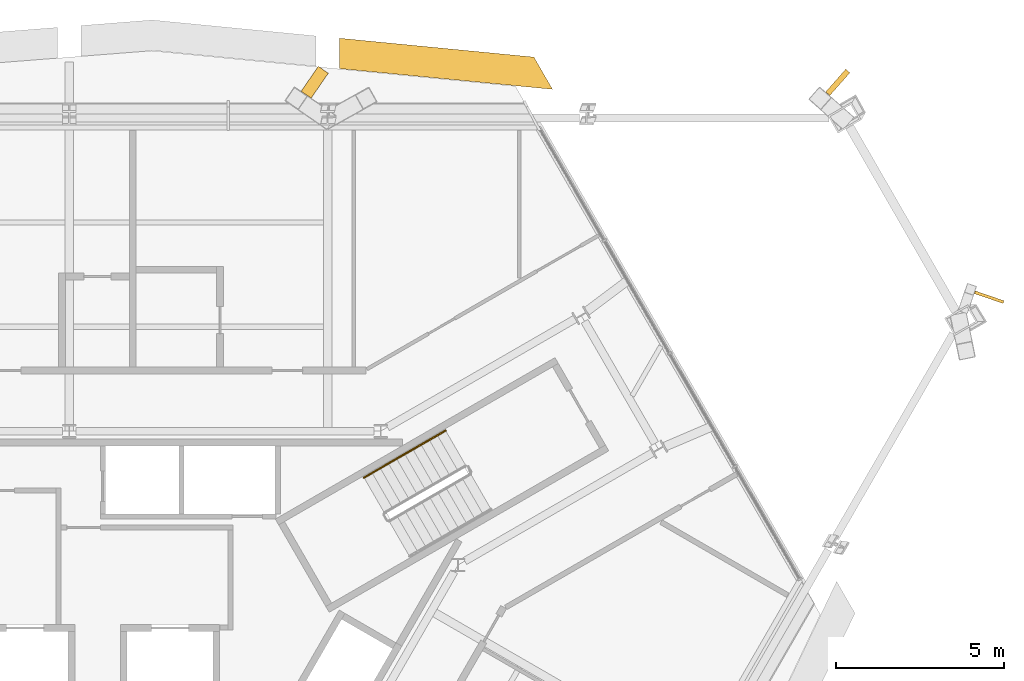
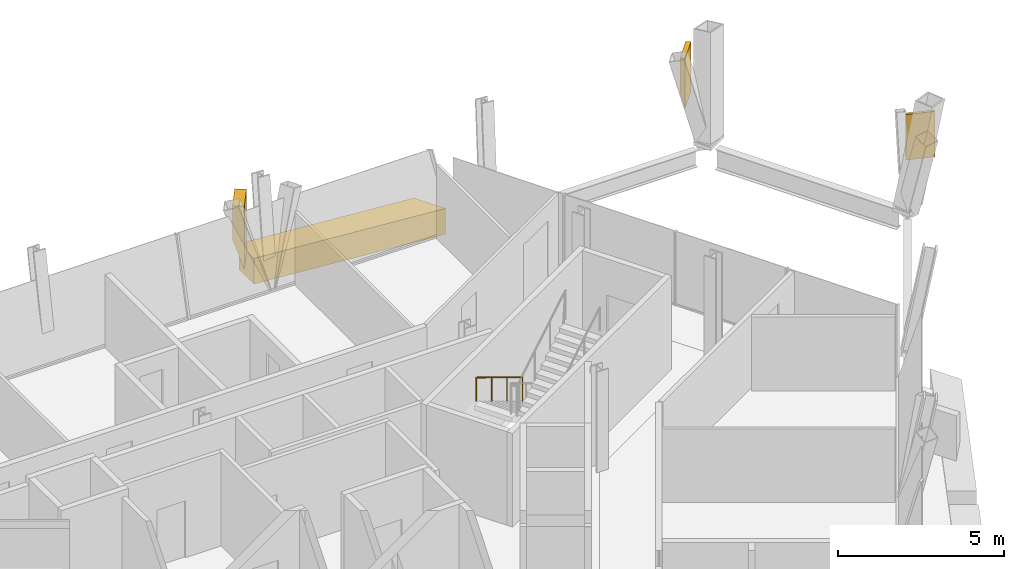
# One storey, part 12 of 12: 4 coverings, 1 railing.
"""IFC4 building model written with IfcOpenShell, lengths in metres."""

from ifc_helpers import new_model, si_unit, direction, frame, origin, origin_2d, place, context, subcontext, project, spatial, polyline, circle, outline, extrude, material, layer, layer_set, type_object, element, save


model = new_model("IFC4")

# Units and contexts
model_context = context("Model", 3, precision=1e-05, world=origin(), true_north=direction((0.0, 1.0)))
body_context = subcontext(model_context, "Body", "Model", "MODEL_VIEW")
ifc_project = project(units=[si_unit("LENGTHUNIT", "METRE"), si_unit("AREAUNIT", "SQUARE_METRE"), si_unit("VOLUMEUNIT", "CUBIC_METRE"), si_unit("PLANEANGLEUNIT", "RADIAN"), si_unit("MASSUNIT", "GRAM", prefix="KILO")], contexts=[model_context])

# Site, building, storey
site_placement = place(None, origin())
site = spatial("IfcSite", under=ifc_project, at=site_placement, CompositionType="ELEMENT")
building_placement = place(site_placement, origin())
building = spatial("IfcBuilding", under=site, at=building_placement, Name="Verrane Prism Tower", CompositionType="ELEMENT")
storey_placement = place(building_placement, frame((0.0, 0.0, 174.699951171875)))
storey = spatial("IfcBuildingStorey", under=building, at=storey_placement, Name="L43", CompositionType="ELEMENT", Elevation=174.699951171875)

# Railing
ifc_material_1 = material(Name="Steel A36 tube", Category="steel")
railing_type = type_object("IfcRailingType", Name="Stair handrail 900 steel tube", PredefinedType="HANDRAIL", material=ifc_material_1)
railing_placement = place(storey_placement, frame((11.189453125, 8.01904296875, 0.168212890625)))
element("IfcRailing", 1, at=railing_placement, inside=storey, type_object=railing_type, Name="Stair 1 handrail", PredefinedType="HANDRAIL", context=body_context, shape_type="SweptSolid", body=[
    extrude(circle(Radius=0.02392578125, at=origin_2d()), frame((0.0, 0.0, 0.8759765625), z_axis=(-0.742390482028, -0.42860119049, 0.514934356695), x_axis=(0.49998411664, -0.866034573852, 0.0)), (0.0, 0.0, 1.0), 3.26611328125),
    extrude(circle(Radius=0.02099609375, at=origin_2d()), origin(), (0.0, 0.0, 1.0), 0.851806640625),
    extrude(circle(Radius=0.02099609375, at=origin_2d()), frame((-0.808349609375, -0.466552734375, 0.560546875)), (0.0, 0.0, 1.0), 0.851806640625),
    extrude(circle(Radius=0.02099609375, at=origin_2d()), frame((-1.616455078125, -0.933349609375, 1.121337890625)), (0.0, 0.0, 1.0), 0.851806640625),
    extrude(circle(Radius=0.02099609375, at=origin_2d()), frame((-2.4248046875, -1.39990234375, 1.681884765625)), (0.0, 0.0, 1.0), 0.851806640625),
])

# Coverings
ifc_material_2 = material(Name="Warm limestone cladding", Category="masonry")
ifc_layer_1 = layer(ifc_material_2, 0.89990234375)
ifc_layer_set_1 = layer_set([ifc_layer_1], Name="Stone brace fin 900")
covering_type_1 = type_object("IfcCoveringType", Name="Stone brace fin 900", PredefinedType="CLADDING", material=ifc_layer_set_1)
covering_1_placement = place(storey_placement, frame((22.91015625, 18.31591796875, 0.90185546875), z_axis=(0.0, 0.0, 1.0), x_axis=(-0.750145484783, 0.661272826948, 0.0)))
element("IfcCovering", 2, at=covering_1_placement, inside=storey, type_object=covering_type_1, Name="Stone brace fin N1 L43", PredefinedType="CLADDING", context=body_context, shape_type="SweptSolid", body=[
    extrude(outline(polyline([(0.162109375, 1.84814453125), (0.0, 1.84814453125), (0.0, 0.0), (0.162109375, 0.57763671875), (0.162109375, 1.84814453125)])), frame((0.0, 0.449951171875, 0.0), z_axis=(0.0, -1.0, 0.0), x_axis=(1.0, 0.0, 0.0)), (0.0, 0.0, 1.0), 0.89990234375),
])
covering_2_placement = place(storey_placement, frame((7.447509765625, 18.269775390625, 0.42919921875), z_axis=(0.0, 0.0, 1.0), x_axis=(-0.82362702579, 0.56713183863, 0.0)))
element("IfcCovering", 3, at=covering_2_placement, inside=storey, type_object=covering_type_1, Name="Stone brace fin N3 L43", PredefinedType="CLADDING", context=body_context, shape_type="SweptSolid", body=[
    extrude(outline(polyline([(0.36083984375, 2.32080078125), (0.0, 2.32080078125), (0.0, 0.0), (0.36083984375, 1.10302734375), (0.36083984375, 2.32080078125)])), frame((0.0, 0.449951171875, 0.0), z_axis=(0.0, -1.0, 0.0), x_axis=(1.0, 0.0, 0.0)), (0.0, 0.0, 1.0), 0.89990234375),
])
covering_3_placement = place(storey_placement, frame((27.337646484375, 11.94189453125, 1.0712890625), z_axis=(0.0, 0.0, 1.0), x_axis=(0.324761283486, 0.945796018573, 0.0)))
element("IfcCovering", 4, at=covering_3_placement, inside=storey, type_object=covering_type_1, Name="Stone brace fin NE1 L43", PredefinedType="CLADDING", context=body_context, shape_type="SweptSolid", body=[
    extrude(outline(polyline([(0.085693359375, 1.6787109375), (0.0, 1.6787109375), (0.0, 0.0), (0.085693359375, 0.29443359375), (0.085693359375, 1.6787109375)])), frame((0.0, 0.449951171875, 0.0), z_axis=(0.0, -1.0, 0.0), x_axis=(1.0, 0.0, 0.0)), (0.0, 0.0, 1.0), 0.89990234375),
])
ifc_material_3 = material(Name="Warm limestone cladding", Category="masonry")
ifc_layer_2 = layer(ifc_material_3, 0.449951171875)
ifc_layer_set_2 = layer_set([ifc_layer_2], Name="Stone spandrel band 450")
covering_type_2 = type_object("IfcCoveringType", Name="Stone spandrel band 450", PredefinedType="CLADDING", material=ifc_layer_set_2)
covering_4_placement = place(storey_placement, frame((0.0, 0.0, -0.949951171875)))
element("IfcCovering", 5, at=covering_4_placement, inside=storey, type_object=covering_type_2, Name="Stone spandrel band L43 part 10", PredefinedType="CLADDING", context=body_context, shape_type="SweptSolid", body=[
    extrude(outline(polyline([(8.03271484375, 19.6826171875), (8.03271484375, 18.778564453125), (14.3681640625, 18.1630859375), (13.815185546875, 19.120849609375), (8.03271484375, 19.6826171875)])), origin(), (0.0, 0.0, 1.0), 0.949951171875),
])

save(model, "model.ifc")
